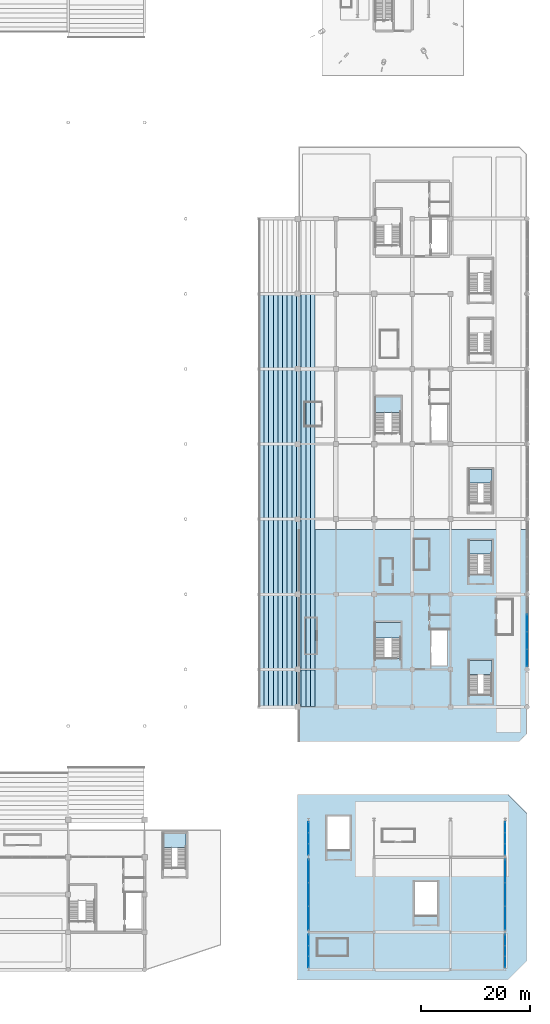
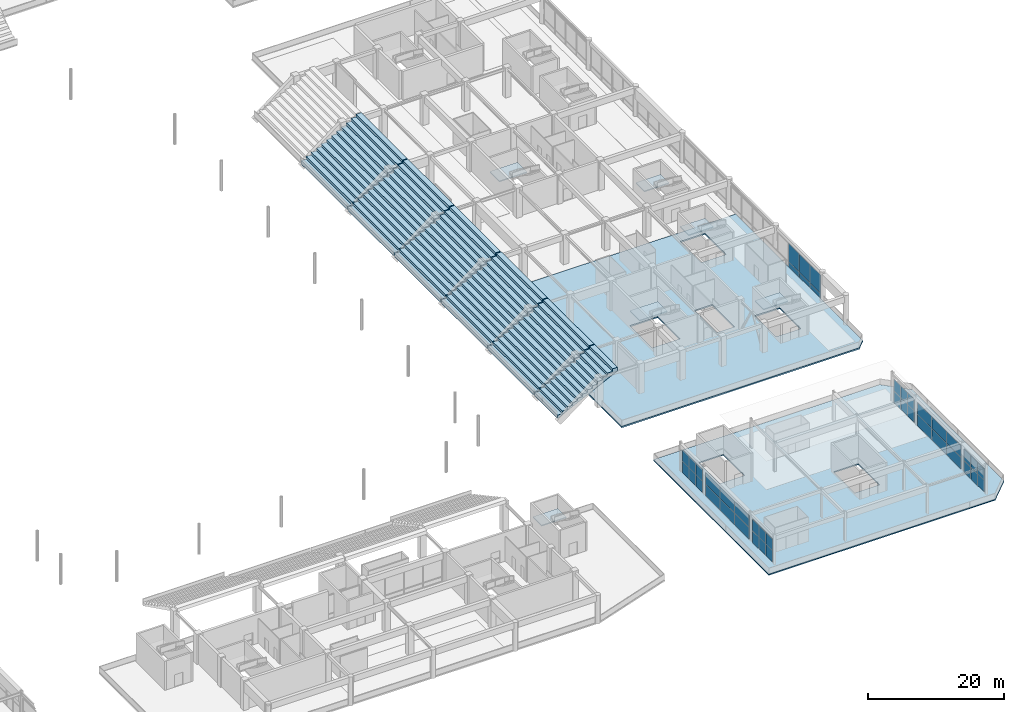
# One storey, part 74 of 117: 42 plates, 14 slabs, 13 elements without a shape of their own.
"""IFC4 building model written with IfcOpenShell, lengths in metres."""

import ifcopenshell
import ifcopenshell.guid

model = None  # the IFC model being written
_history = None  # IfcOwnerHistory: only IFC2X3 demands one
_inside = {}  # id of a spatial element -> (the spatial element, [elements in it])
_under = {}  # id of a project, library or spatial element -> (it, [spatial elements below it])
_declared = {}  # id of a project -> (the project, [libraries it declares])
_typed = {}  # id of a type object -> (the type object, [elements of that type])
_made_of = {}  # id of a material, layer set ... -> (it, [elements and type objects made of it])


def new_model(schema):
    """Start an empty IFC model of exactly this schema.

    Asked for "IFC4X3", IfcOpenShell would pick the latest addendum, in which some entities
    have other attributes; the version numbers below select the first issue.
    IFC2X3 requires an IfcOwnerHistory on every rooted entity: one is made here for all.
    """
    global model, _history
    if schema == "IFC4X3":
        model = ifcopenshell.file(schema_version=(4, 3, 0, 0))
    else:
        model = ifcopenshell.file(schema=schema)
    _inside.clear()
    _under.clear()
    _declared.clear()
    _typed.clear()
    _made_of.clear()
    _history = None
    if model.schema == "IFC2X3":
        org = make("IfcOrganization", Name="unknown")
        user = make(
            "IfcPersonAndOrganization",
            ThePerson=make("IfcPerson", FamilyName="unknown"),
            TheOrganization=org,
        )
        app = make(
            "IfcApplication",
            ApplicationDeveloper=org,
            Version="unknown",
            ApplicationFullName="unknown",
            ApplicationIdentifier="unknown",
        )
        _history = make(
            "IfcOwnerHistory",
            OwningUser=user,
            OwningApplication=app,
            ChangeAction="ADDED",
            CreationDate=0,
        )
    return model


def make(cls, **values):
    """One entity of the class cls with the attributes given. An attribute that is None is left unset."""
    return model.create_entity(
        cls, **{name: value for name, value in values.items() if value is not None}
    )


def rooted(cls, **values):
    """An entity with a GlobalId (a new one), such as an element, a storey or a relation."""
    return make(cls, GlobalId=ifcopenshell.guid.new(), OwnerHistory=_history, **values)


def si_unit(unit_type, name, prefix=None):
    """IfcSIUnit, for example si_unit("LENGTHUNIT", "METRE", prefix="MILLI")."""
    return make("IfcSIUnit", UnitType=unit_type, Prefix=prefix, Name=name)


def assignment(units):
    """IfcUnitAssignment: the units of a project."""
    return None if units is None else make("IfcUnitAssignment", Units=units)


def point(xyz):
    """IfcCartesianPoint."""
    return None if xyz is None else make("IfcCartesianPoint", Coordinates=xyz)


def direction(xyz):
    """IfcDirection."""
    return None if xyz is None else make("IfcDirection", DirectionRatios=xyz)


def frame(location, z_axis=None, x_axis=None):
    """IfcAxis2Placement3D, a coordinate frame: its origin and axes. An axis left out is left unset."""
    return make(
        "IfcAxis2Placement3D",
        Location=point(location),
        Axis=direction(z_axis),
        RefDirection=direction(x_axis),
    )


def frame_2d(location, x_axis=None):
    """IfcAxis2Placement2D, a coordinate frame in the plane: its origin and x axis."""
    return make(
        "IfcAxis2Placement2D", Location=point(location), RefDirection=direction(x_axis)
    )


def origin():
    """The frame at (0, 0, 0) with its axes left unset."""
    return frame((0.0, 0.0, 0.0))


def origin_2d():
    """The frame at (0, 0) in the plane with its x axis left unset."""
    return frame_2d((0.0, 0.0))


def place(relative_to, where):
    """IfcLocalPlacement: puts the frame where relative to a parent placement (None: the world)."""
    return make(
        "IfcLocalPlacement", PlacementRelTo=relative_to, RelativePlacement=where
    )


def context(
    kind, dimensions, precision=None, world=None, true_north=None, identifier=None
):
    """IfcGeometricRepresentationContext, for example the 3D "Model" context."""
    return make(
        "IfcGeometricRepresentationContext",
        ContextIdentifier=identifier,
        ContextType=kind,
        CoordinateSpaceDimension=dimensions,
        Precision=precision,
        WorldCoordinateSystem=world,
        TrueNorth=true_north,
    )


def subcontext(parent, identifier, kind, view, scale=None):
    """IfcGeometricRepresentationSubContext, for example "Body" below "Model"."""
    return make(
        "IfcGeometricRepresentationSubContext",
        ContextIdentifier=identifier,
        ContextType=kind,
        ParentContext=parent,
        TargetScale=scale,
        TargetView=view,
    )


def project(units=None, contexts=None):
    """IfcProject with its units and contexts."""
    return rooted(
        "IfcProject",
        Name="project",
        RepresentationContexts=contexts,
        UnitsInContext=assignment(units),
    )


def spatial(cls, under=None, at=None, **own):
    """A site, building, storey or space (cls), placed at a placement, below another one or the project."""
    s = rooted(cls, ObjectPlacement=at, **own)
    if under is not None:
        _under.setdefault(under.id(), (under, []))[1].append(s)
    return s


def polyline(points):
    """IfcPolyline through the points."""
    return make("IfcPolyline", Points=[point(p) for p in points])


def profile(cls, at=None, kind="AREA", **sizes):
    """A parametric profile (cls). Its sizes go by their IFC names, for example OverallWidth=200.0."""
    return make(cls, ProfileType=kind, Position=at, **sizes)


def rectangle(**sizes):
    """IfcRectangleProfileDef."""
    return profile("IfcRectangleProfileDef", **sizes)


def outline(outer, holes=None, kind="AREA"):
    """IfcArbitraryClosedProfileDef: a profile drawn as a closed curve; with holes, ...WithVoids."""
    if holes is None:
        return make("IfcArbitraryClosedProfileDef", ProfileType=kind, OuterCurve=outer)
    return make(
        "IfcArbitraryProfileDefWithVoids",
        ProfileType=kind,
        OuterCurve=outer,
        InnerCurves=holes,
    )


def extrude(swept, where, along, depth):
    """IfcExtrudedAreaSolid: the profile swept, set in the frame where, extruded along a direction by depth."""
    return make(
        "IfcExtrudedAreaSolid",
        SweptArea=swept,
        Position=where,
        ExtrudedDirection=direction(along),
        Depth=depth,
    )


def shape(context_of_items, identifier, shape_type, items):
    """IfcShapeRepresentation: the items that make up one representation, for example the "Body"."""
    return make(
        "IfcShapeRepresentation",
        ContextOfItems=context_of_items,
        RepresentationIdentifier=identifier,
        RepresentationType=shape_type,
        Items=items,
    )


def material(Name=None, Category=None):
    """IfcMaterial."""
    return make("IfcMaterial", Name=Name, Category=Category)


def layer(
    of_material, thickness, ventilated=None, Name=None, Category=None, Priority=None
):
    """IfcMaterialLayer: one layer of a wall or slab, of a material (None: an air gap)."""
    return make(
        "IfcMaterialLayer",
        Material=of_material,
        LayerThickness=thickness,
        IsVentilated=ventilated,
        Name=Name,
        Category=Category,
        Priority=Priority,
    )


def layer_set(layers, Name=None):
    """IfcMaterialLayerSet."""
    return make("IfcMaterialLayerSet", MaterialLayers=layers, LayerSetName=Name)


def made_of(thing, what):
    """Note that an element or type object is made of a material, layer set ...; save() writes the relation."""
    if what is not None:
        _made_of.setdefault(what.id(), (what, []))[1].append(thing)
    return thing


def type_object(cls, material=None, **own):
    """A type object (cls), such as IfcWallType, which elements share."""
    return made_of(rooted(cls, **own), material)


def element(
    cls,
    number,
    at=None,
    inside=None,
    cuts=None,
    type_object=None,
    material=None,
    context=None,
    identifier="Body",
    shape_type=None,
    held_by="IfcProductDefinitionShape",
    body=None,
    shapes=None,
    **own,
):
    """One element of the class cls, such as IfcWall. Its Tag is "e" and its number.

    at: its placement. inside: the storey or other place that contains it. cuts: it is an
    opening in that element (IfcRelVoidsElement). A single representation is given by context,
    identifier, shape_type and body (its items); several are given by shapes. held_by: the class
    of the entity that holds the representations. save() writes the other relations.
    """
    e = rooted(cls, Tag="e%d" % number, ObjectPlacement=at, **own)
    if body is not None:
        shapes = [shape(context, identifier, shape_type, body)]
    if shapes is not None:
        e.Representation = make(held_by, Representations=shapes)
    if inside is not None:
        _inside.setdefault(inside.id(), (inside, []))[1].append(e)
    if cuts is not None:
        rooted(
            "IfcRelVoidsElement", RelatingBuildingElement=cuts, RelatedOpeningElement=e
        )
    if type_object is not None:
        _typed.setdefault(type_object.id(), (type_object, []))[1].append(e)
    return made_of(e, material)


def aggregate(whole, parts):
    """IfcRelAggregates: a whole, such as a stair, and the parts it consists of."""
    return rooted("IfcRelAggregates", RelatingObject=whole, RelatedObjects=parts)


def save(model, path):
    """Write the relations noted so far, then the file.

    IfcRelAggregates (storeys below a building ...), IfcRelContainedInSpatialStructure (elements
    in a storey), IfcRelDefinesByType, IfcRelAssociatesMaterial and IfcRelDeclares: one each for
    every whole, place, type object, material and project.
    """
    for whole, parts in _under.values():
        aggregate(whole, parts)
    for where, things in _inside.values():
        rooted(
            "IfcRelContainedInSpatialStructure",
            RelatedElements=things,
            RelatingStructure=where,
        )
    for kind, things in _typed.values():
        rooted("IfcRelDefinesByType", RelatedObjects=things, RelatingType=kind)
    for what, things in _made_of.values():
        rooted("IfcRelAssociatesMaterial", RelatedObjects=things, RelatingMaterial=what)
    for by, libraries in _declared.values():
        rooted("IfcRelDeclares", RelatingContext=by, RelatedDefinitions=libraries)
    model.write(path)


model = new_model("IFC4")

# Units and contexts
model_context = context("Model", 3, precision=1e-05, world=origin(), true_north=direction((0.0, 1.0)))
body_context = subcontext(model_context, "Body", "Model", "MODEL_VIEW")
ifc_project = project(units=[si_unit("LENGTHUNIT", "METRE"), si_unit("AREAUNIT", "SQUARE_METRE"), si_unit("VOLUMEUNIT", "CUBIC_METRE"), si_unit("PLANEANGLEUNIT", "RADIAN"), si_unit("MASSUNIT", "GRAM", prefix="KILO")], contexts=[model_context])

# Site, building, storey
site_placement = place(None, origin())
site = spatial("IfcSite", under=ifc_project, at=site_placement, CompositionType="ELEMENT")
building_placement = place(site_placement, origin())
building = spatial("IfcBuilding", under=site, at=building_placement, Name="Linyun Crest Stadium", CompositionType="ELEMENT")
storey_placement = place(building_placement, frame((0.0, 0.0, 6.0)))
storey = spatial("IfcBuildingStorey", under=building, at=storey_placement, Name="L02", CompositionType="ELEMENT", Elevation=6.0)

# Slabs
ifc_material_1 = material(Name="Concrete C40", Category="concrete")
ifc_layer_1 = layer(ifc_material_1, 0.199951171875)
ifc_layer_set_1 = layer_set([ifc_layer_1], Name="Concrete C40")
slab_type_1 = type_object("IfcSlabType", Name="FS02", PredefinedType="FLOOR", material=ifc_layer_set_1)
slab_1_placement = place(storey_placement, frame((0.0, 0.0, -0.199951171875)))
element("IfcSlab", 1, at=slab_1_placement, inside=storey, type_object=slab_type_1, Name="Slab FS02 V6 L02 74", PredefinedType="FLOOR", context=body_context, shape_type="SweptSolid", body=[
    extrude(outline(polyline([(56.0, -96.0), (94.5, -96.0), (98.0, -92.5), (98.0, -65.5), (94.5, -62.0), (56.0, -62.0), (56.0, -96.0)]), holes=[polyline([(77.39990234375, -84.25), (77.39990234375, -78.0), (81.60009765625, -78.0), (81.60009765625, -84.25), (77.39990234375, -84.25)]), polyline([(61.39990234375, -72.25), (61.39990234375, -66.0), (65.60009765625, -66.0), (65.60009765625, -72.25), (61.39990234375, -72.25)])]), origin(), (0.0, 0.0, 1.0), 0.199951171875),
])
ifc_material_2 = material(Name="Concrete C40", Category="concrete")
ifc_layer_2 = layer(ifc_material_2, 0.25)
ifc_layer_set_2 = layer_set([ifc_layer_2], Name="Concrete C40")
slab_type_2 = type_object("IfcSlabType", Name="FS04", PredefinedType="FLOOR", material=ifc_layer_set_2)
slab_2_placement = place(storey_placement, frame((0.0, 0.0, -0.25)))
element("IfcSlab", 2, at=slab_2_placement, inside=storey, type_object=slab_type_2, Name="Slab FS04 V2 L02 20", PredefinedType="FLOOR", context=body_context, shape_type="SweptSolid", body=[
    extrude(outline(polyline([(56.199951171875, -52.3349609375), (96.60009765625, -52.3349609375), (98.0, -50.93505859375), (98.0, -13.510009765625), (56.199951171875, -13.510009765625), (56.199951171875, -52.3349609375)]), holes=[polyline([(70.175048828125, -37.10498046875), (70.175048828125, -30.52490234375), (74.89990234375, -30.52490234375), (74.89990234375, -37.10498046875), (70.175048828125, -37.10498046875)]), polyline([(80.39990234375, -38.47509765625), (80.39990234375, -31.875), (83.39990234375, -31.875), (83.39990234375, -38.47509765625), (80.39990234375, -38.47509765625)]), polyline([(87.39990234375, -43.75), (87.39990234375, -37.5), (91.60009765625, -37.5), (91.60009765625, -43.75), (87.39990234375, -43.75)]), polyline([(87.39990234375, -21.75), (87.39990234375, -15.5), (91.60009765625, -15.5), (91.60009765625, -21.75), (87.39990234375, -21.75)])]), origin(), (0.0, 0.0, 1.0), 0.25),
])

# Curtain wall, plates
ifc_material_3 = material(Name="Verdigris steel and low-E curtain wall assembly", Category="steel")
curtain_wall_type_1 = type_object("IfcCurtainWallType", Name="MCW01", PredefinedType="NOTDEFINED", material=ifc_material_3)
curtain_wall_1_placement = place(storey_placement, origin())
curtain_wall_1 = element("IfcCurtainWall", 3, at=curtain_wall_1_placement, inside=storey, type_object=curtain_wall_type_1, Name="CWR-078", PredefinedType="NOTDEFINED")
ifc_material_4 = material(Name="Double silver low-E insulated glass", Category="glass")
ifc_layer_3 = layer(ifc_material_4, 0.02587890625)
ifc_layer_set_3 = layer_set([ifc_layer_3], Name="Double silver low-E insulated glass")
plate_type_1 = type_object("IfcPlateType", Name="GP01", PredefinedType="CURTAIN_PANEL", material=ifc_layer_set_3)
plate_1_placement = place(storey_placement, frame((98.0, -36.993896484375, 0.9248046875), z_axis=(0.0, 0.0, 1.0), x_axis=(0.0, 1.0, 0.0)))
plate_1 = element("IfcPlate", 4, at=plate_1_placement, type_object=plate_type_1, Name="CWR-078 panel 1.2", PredefinedType="CURTAIN_PANEL", context=body_context, shape_type="SweptSolid", body=[
    extrude(rectangle(XDim=3.112548828125, YDim=0.02587890625, at=origin_2d()), origin(), (0.0, 0.0, 1.0), 3.300048828125),
])
plate_2_placement = place(storey_placement, frame((98.0, -33.8310546875, 0.9248046875), z_axis=(0.0, 0.0, 1.0), x_axis=(0.0, 1.0, 0.0)))
plate_2 = element("IfcPlate", 5, at=plate_2_placement, type_object=plate_type_1, Name="CWR-078 panel 2.2", PredefinedType="CURTAIN_PANEL", context=body_context, shape_type="SweptSolid", body=[
    extrude(rectangle(XDim=3.112548828125, YDim=0.02587890625, at=origin_2d()), origin(), (0.0, 0.0, 1.0), 3.300048828125),
])
plate_3_placement = place(storey_placement, frame((98.0, -30.6689453125, 0.9248046875), z_axis=(0.0, 0.0, 1.0), x_axis=(0.0, 1.0, 0.0)))
plate_3 = element("IfcPlate", 6, at=plate_3_placement, type_object=plate_type_1, Name="CWR-078 panel 3.2", PredefinedType="CURTAIN_PANEL", context=body_context, shape_type="SweptSolid", body=[
    extrude(rectangle(XDim=3.112548828125, YDim=0.02587890625, at=origin_2d()), origin(), (0.0, 0.0, 1.0), 3.300048828125),
])

ifc_material_5 = material(Name="Verdigris steel and low-E curtain wall assembly", Category="steel")
curtain_wall_type_2 = type_object("IfcCurtainWallType", Name="MCW05", PredefinedType="NOTDEFINED", material=ifc_material_5)
curtain_wall_2_placement = place(storey_placement, origin())
curtain_wall_2 = element("IfcCurtainWall", 7, at=curtain_wall_2_placement, inside=storey, type_object=curtain_wall_type_2, Name="CWR-161", PredefinedType="NOTDEFINED")
ifc_material_6 = material(Name="Tempered solar-control low-E glass", Category="glass")
ifc_layer_4 = layer(ifc_material_6, 0.033935546875)
ifc_layer_set_4 = layer_set([ifc_layer_4], Name="Tempered solar-control low-E glass")
plate_type_2 = type_object("IfcPlateType", Name="GP03", PredefinedType="CURTAIN_PANEL", material=ifc_layer_set_4)
plate_4_placement = place(storey_placement, frame((58.0, -92.678955078125, 0.0244140625), z_axis=(0.0, 0.0, 1.0), x_axis=(0.0, 1.0, 0.0)))
plate_4 = element("IfcPlate", 8, at=plate_4_placement, type_object=plate_type_2, Name="CWR-161 panel 1.1", PredefinedType="CURTAIN_PANEL", context=body_context, shape_type="SweptSolid", body=[
    extrude(rectangle(XDim=1.941650390625, YDim=0.033935546875, at=origin_2d()), origin(), (0.0, 0.0, 1.0), 2.074951171875),
])
plate_5_placement = place(storey_placement, frame((58.0, -92.678955078125, 2.150390625), z_axis=(0.0, 0.0, 1.0), x_axis=(0.0, 1.0, 0.0)))
plate_5 = element("IfcPlate", 9, at=plate_5_placement, type_object=plate_type_2, Name="CWR-161 panel 1.2", PredefinedType="CURTAIN_PANEL", context=body_context, shape_type="SweptSolid", body=[
    extrude(rectangle(XDim=1.941650390625, YDim=0.033935546875, at=origin_2d()), origin(), (0.0, 0.0, 1.0), 2.074951171875),
])
plate_6_placement = place(storey_placement, frame((58.0, -90.68798828125, 0.0244140625), z_axis=(0.0, 0.0, 1.0), x_axis=(0.0, 1.0, 0.0)))
plate_6 = element("IfcPlate", 10, at=plate_6_placement, type_object=plate_type_2, Name="CWR-161 panel 2.1", PredefinedType="CURTAIN_PANEL", context=body_context, shape_type="SweptSolid", body=[
    extrude(rectangle(XDim=1.941650390625, YDim=0.033935546875, at=origin_2d()), origin(), (0.0, 0.0, 1.0), 2.074951171875),
])
plate_7_placement = place(storey_placement, frame((58.0, -90.68798828125, 2.150390625), z_axis=(0.0, 0.0, 1.0), x_axis=(0.0, 1.0, 0.0)))
plate_7 = element("IfcPlate", 11, at=plate_7_placement, type_object=plate_type_2, Name="CWR-161 panel 2.2", PredefinedType="CURTAIN_PANEL", context=body_context, shape_type="SweptSolid", body=[
    extrude(rectangle(XDim=1.941650390625, YDim=0.033935546875, at=origin_2d()), origin(), (0.0, 0.0, 1.0), 2.074951171875),
])
plate_8_placement = place(storey_placement, frame((58.0, -88.696044921875, 0.0244140625), z_axis=(0.0, 0.0, 1.0), x_axis=(0.0, 1.0, 0.0)))
plate_8 = element("IfcPlate", 12, at=plate_8_placement, type_object=plate_type_2, Name="CWR-161 panel 3.1", PredefinedType="CURTAIN_PANEL", context=body_context, shape_type="SweptSolid", body=[
    extrude(rectangle(XDim=1.941650390625, YDim=0.033935546875, at=origin_2d()), origin(), (0.0, 0.0, 1.0), 2.074951171875),
])
plate_9_placement = place(storey_placement, frame((58.0, -88.696044921875, 2.150390625), z_axis=(0.0, 0.0, 1.0), x_axis=(0.0, 1.0, 0.0)))
plate_9 = element("IfcPlate", 13, at=plate_9_placement, type_object=plate_type_2, Name="CWR-161 panel 3.2", PredefinedType="CURTAIN_PANEL", context=body_context, shape_type="SweptSolid", body=[
    extrude(rectangle(XDim=1.941650390625, YDim=0.033935546875, at=origin_2d()), origin(), (0.0, 0.0, 1.0), 2.074951171875),
])
aggregate(curtain_wall_2, [plate_4, plate_5, plate_6, plate_7, plate_8, plate_9])

curtain_wall_3_placement = place(storey_placement, origin())
curtain_wall_3 = element("IfcCurtainWall", 14, at=curtain_wall_3_placement, inside=storey, type_object=curtain_wall_type_2, Name="CWR-162", PredefinedType="NOTDEFINED")
plate_10_placement = place(storey_placement, frame((58.0, -84.657958984375, 0.0244140625), z_axis=(0.0, 0.0, 1.0), x_axis=(0.0, 1.0, 0.0)))
plate_10 = element("IfcPlate", 15, at=plate_10_placement, type_object=plate_type_2, Name="CWR-162 panel 1.1", PredefinedType="CURTAIN_PANEL", context=body_context, shape_type="SweptSolid", body=[
    extrude(rectangle(XDim=4.2333984375, YDim=0.033935546875, at=origin_2d()), origin(), (0.0, 0.0, 1.0), 2.074951171875),
])
plate_11_placement = place(storey_placement, frame((58.0, -84.657958984375, 2.150390625), z_axis=(0.0, 0.0, 1.0), x_axis=(0.0, 1.0, 0.0)))
plate_11 = element("IfcPlate", 16, at=plate_11_placement, type_object=plate_type_2, Name="CWR-162 panel 1.2", PredefinedType="CURTAIN_PANEL", context=body_context, shape_type="SweptSolid", body=[
    extrude(rectangle(XDim=4.2333984375, YDim=0.033935546875, at=origin_2d()), origin(), (0.0, 0.0, 1.0), 2.074951171875),
])
plate_12_placement = place(storey_placement, frame((58.0, -80.375, 0.0244140625), z_axis=(0.0, 0.0, 1.0), x_axis=(0.0, 1.0, 0.0)))
plate_12 = element("IfcPlate", 17, at=plate_12_placement, type_object=plate_type_2, Name="CWR-162 panel 2.1", PredefinedType="CURTAIN_PANEL", context=body_context, shape_type="SweptSolid", body=[
    extrude(rectangle(XDim=4.2333984375, YDim=0.033935546875, at=origin_2d()), origin(), (0.0, 0.0, 1.0), 2.074951171875),
])
plate_13_placement = place(storey_placement, frame((58.0, -80.375, 2.150390625), z_axis=(0.0, 0.0, 1.0), x_axis=(0.0, 1.0, 0.0)))
plate_13 = element("IfcPlate", 18, at=plate_13_placement, type_object=plate_type_2, Name="CWR-162 panel 2.2", PredefinedType="CURTAIN_PANEL", context=body_context, shape_type="SweptSolid", body=[
    extrude(rectangle(XDim=4.2333984375, YDim=0.033935546875, at=origin_2d()), origin(), (0.0, 0.0, 1.0), 2.074951171875),
])
plate_14_placement = place(storey_placement, frame((58.0, -76.092041015625, 0.0244140625), z_axis=(0.0, 0.0, 1.0), x_axis=(0.0, 1.0, 0.0)))
plate_14 = element("IfcPlate", 19, at=plate_14_placement, type_object=plate_type_2, Name="CWR-162 panel 3.1", PredefinedType="CURTAIN_PANEL", context=body_context, shape_type="SweptSolid", body=[
    extrude(rectangle(XDim=4.2333984375, YDim=0.033935546875, at=origin_2d()), origin(), (0.0, 0.0, 1.0), 2.074951171875),
])
plate_15_placement = place(storey_placement, frame((58.0, -76.092041015625, 2.150390625), z_axis=(0.0, 0.0, 1.0), x_axis=(0.0, 1.0, 0.0)))
plate_15 = element("IfcPlate", 20, at=plate_15_placement, type_object=plate_type_2, Name="CWR-162 panel 3.2", PredefinedType="CURTAIN_PANEL", context=body_context, shape_type="SweptSolid", body=[
    extrude(rectangle(XDim=4.2333984375, YDim=0.033935546875, at=origin_2d()), origin(), (0.0, 0.0, 1.0), 2.074951171875),
])
aggregate(curtain_wall_3, [plate_10, plate_11, plate_12, plate_13, plate_14, plate_15])

curtain_wall_4_placement = place(storey_placement, origin())
curtain_wall_4 = element("IfcCurtainWall", 21, at=curtain_wall_4_placement, inside=storey, type_object=curtain_wall_type_2, Name="CWR-163", PredefinedType="NOTDEFINED")
plate_16_placement = place(storey_placement, frame((58.0, -72.053955078125, 0.0244140625), z_axis=(0.0, 0.0, 1.0), x_axis=(0.0, 1.0, 0.0)))
plate_16 = element("IfcPlate", 22, at=plate_16_placement, type_object=plate_type_2, Name="CWR-163 panel 1.1", PredefinedType="CURTAIN_PANEL", context=body_context, shape_type="SweptSolid", body=[
    extrude(rectangle(XDim=1.941650390625, YDim=0.033935546875, at=origin_2d()), origin(), (0.0, 0.0, 1.0), 2.074951171875),
])
plate_17_placement = place(storey_placement, frame((58.0, -72.053955078125, 2.150390625), z_axis=(0.0, 0.0, 1.0), x_axis=(0.0, 1.0, 0.0)))
plate_17 = element("IfcPlate", 23, at=plate_17_placement, type_object=plate_type_2, Name="CWR-163 panel 1.2", PredefinedType="CURTAIN_PANEL", context=body_context, shape_type="SweptSolid", body=[
    extrude(rectangle(XDim=1.941650390625, YDim=0.033935546875, at=origin_2d()), origin(), (0.0, 0.0, 1.0), 2.074951171875),
])
plate_18_placement = place(storey_placement, frame((58.0, -70.06201171875, 0.0244140625), z_axis=(0.0, 0.0, 1.0), x_axis=(0.0, 1.0, 0.0)))
plate_18 = element("IfcPlate", 24, at=plate_18_placement, type_object=plate_type_2, Name="CWR-163 panel 2.1", PredefinedType="CURTAIN_PANEL", context=body_context, shape_type="SweptSolid", body=[
    extrude(rectangle(XDim=1.941650390625, YDim=0.033935546875, at=origin_2d()), origin(), (0.0, 0.0, 1.0), 2.074951171875),
])
plate_19_placement = place(storey_placement, frame((58.0, -70.06201171875, 2.150390625), z_axis=(0.0, 0.0, 1.0), x_axis=(0.0, 1.0, 0.0)))
plate_19 = element("IfcPlate", 25, at=plate_19_placement, type_object=plate_type_2, Name="CWR-163 panel 2.2", PredefinedType="CURTAIN_PANEL", context=body_context, shape_type="SweptSolid", body=[
    extrude(rectangle(XDim=1.941650390625, YDim=0.033935546875, at=origin_2d()), origin(), (0.0, 0.0, 1.0), 2.074951171875),
])
plate_20_placement = place(storey_placement, frame((58.0, -68.071044921875, 0.0244140625), z_axis=(0.0, 0.0, 1.0), x_axis=(0.0, 1.0, 0.0)))
plate_20 = element("IfcPlate", 26, at=plate_20_placement, type_object=plate_type_2, Name="CWR-163 panel 3.1", PredefinedType="CURTAIN_PANEL", context=body_context, shape_type="SweptSolid", body=[
    extrude(rectangle(XDim=1.941650390625, YDim=0.033935546875, at=origin_2d()), origin(), (0.0, 0.0, 1.0), 2.074951171875),
])
plate_21_placement = place(storey_placement, frame((58.0, -68.071044921875, 2.150390625), z_axis=(0.0, 0.0, 1.0), x_axis=(0.0, 1.0, 0.0)))
plate_21 = element("IfcPlate", 27, at=plate_21_placement, type_object=plate_type_2, Name="CWR-163 panel 3.2", PredefinedType="CURTAIN_PANEL", context=body_context, shape_type="SweptSolid", body=[
    extrude(rectangle(XDim=1.941650390625, YDim=0.033935546875, at=origin_2d()), origin(), (0.0, 0.0, 1.0), 2.074951171875),
])
aggregate(curtain_wall_4, [plate_16, plate_17, plate_18, plate_19, plate_20, plate_21])

curtain_wall_5_placement = place(storey_placement, origin())
curtain_wall_5 = element("IfcCurtainWall", 28, at=curtain_wall_5_placement, inside=storey, type_object=curtain_wall_type_2, Name="CWR-164", PredefinedType="NOTDEFINED")
plate_22_placement = place(storey_placement, frame((94.0, -92.678955078125, 0.0244140625), z_axis=(0.0, 0.0, 1.0), x_axis=(0.0, 1.0, 0.0)))
plate_22 = element("IfcPlate", 29, at=plate_22_placement, type_object=plate_type_2, Name="CWR-164 panel 1.1", PredefinedType="CURTAIN_PANEL", context=body_context, shape_type="SweptSolid", body=[
    extrude(rectangle(XDim=1.941650390625, YDim=0.033935546875, at=origin_2d()), origin(), (0.0, 0.0, 1.0), 2.074951171875),
])
plate_23_placement = place(storey_placement, frame((94.0, -92.678955078125, 2.150390625), z_axis=(0.0, 0.0, 1.0), x_axis=(0.0, 1.0, 0.0)))
plate_23 = element("IfcPlate", 30, at=plate_23_placement, type_object=plate_type_2, Name="CWR-164 panel 1.2", PredefinedType="CURTAIN_PANEL", context=body_context, shape_type="SweptSolid", body=[
    extrude(rectangle(XDim=1.941650390625, YDim=0.033935546875, at=origin_2d()), origin(), (0.0, 0.0, 1.0), 2.074951171875),
])
plate_24_placement = place(storey_placement, frame((94.0, -90.68798828125, 0.0244140625), z_axis=(0.0, 0.0, 1.0), x_axis=(0.0, 1.0, 0.0)))
plate_24 = element("IfcPlate", 31, at=plate_24_placement, type_object=plate_type_2, Name="CWR-164 panel 2.1", PredefinedType="CURTAIN_PANEL", context=body_context, shape_type="SweptSolid", body=[
    extrude(rectangle(XDim=1.941650390625, YDim=0.033935546875, at=origin_2d()), origin(), (0.0, 0.0, 1.0), 2.074951171875),
])
plate_25_placement = place(storey_placement, frame((94.0, -90.68798828125, 2.150390625), z_axis=(0.0, 0.0, 1.0), x_axis=(0.0, 1.0, 0.0)))
plate_25 = element("IfcPlate", 32, at=plate_25_placement, type_object=plate_type_2, Name="CWR-164 panel 2.2", PredefinedType="CURTAIN_PANEL", context=body_context, shape_type="SweptSolid", body=[
    extrude(rectangle(XDim=1.941650390625, YDim=0.033935546875, at=origin_2d()), origin(), (0.0, 0.0, 1.0), 2.074951171875),
])
plate_26_placement = place(storey_placement, frame((94.0, -88.696044921875, 0.0244140625), z_axis=(0.0, 0.0, 1.0), x_axis=(0.0, 1.0, 0.0)))
plate_26 = element("IfcPlate", 33, at=plate_26_placement, type_object=plate_type_2, Name="CWR-164 panel 3.1", PredefinedType="CURTAIN_PANEL", context=body_context, shape_type="SweptSolid", body=[
    extrude(rectangle(XDim=1.941650390625, YDim=0.033935546875, at=origin_2d()), origin(), (0.0, 0.0, 1.0), 2.074951171875),
])
plate_27_placement = place(storey_placement, frame((94.0, -88.696044921875, 2.150390625), z_axis=(0.0, 0.0, 1.0), x_axis=(0.0, 1.0, 0.0)))
plate_27 = element("IfcPlate", 34, at=plate_27_placement, type_object=plate_type_2, Name="CWR-164 panel 3.2", PredefinedType="CURTAIN_PANEL", context=body_context, shape_type="SweptSolid", body=[
    extrude(rectangle(XDim=1.941650390625, YDim=0.033935546875, at=origin_2d()), origin(), (0.0, 0.0, 1.0), 2.074951171875),
])
aggregate(curtain_wall_5, [plate_22, plate_23, plate_24, plate_25, plate_26, plate_27])

curtain_wall_6_placement = place(storey_placement, origin())
curtain_wall_6 = element("IfcCurtainWall", 35, at=curtain_wall_6_placement, inside=storey, type_object=curtain_wall_type_2, Name="CWR-165", PredefinedType="NOTDEFINED")
plate_28_placement = place(storey_placement, frame((94.0, -84.657958984375, 0.0244140625), z_axis=(0.0, 0.0, 1.0), x_axis=(0.0, 1.0, 0.0)))
plate_28 = element("IfcPlate", 36, at=plate_28_placement, type_object=plate_type_2, Name="CWR-165 panel 1.1", PredefinedType="CURTAIN_PANEL", context=body_context, shape_type="SweptSolid", body=[
    extrude(rectangle(XDim=4.2333984375, YDim=0.033935546875, at=origin_2d()), origin(), (0.0, 0.0, 1.0), 2.074951171875),
])
plate_29_placement = place(storey_placement, frame((94.0, -84.657958984375, 2.150390625), z_axis=(0.0, 0.0, 1.0), x_axis=(0.0, 1.0, 0.0)))
plate_29 = element("IfcPlate", 37, at=plate_29_placement, type_object=plate_type_2, Name="CWR-165 panel 1.2", PredefinedType="CURTAIN_PANEL", context=body_context, shape_type="SweptSolid", body=[
    extrude(rectangle(XDim=4.2333984375, YDim=0.033935546875, at=origin_2d()), origin(), (0.0, 0.0, 1.0), 2.074951171875),
])
plate_30_placement = place(storey_placement, frame((94.0, -80.375, 0.0244140625), z_axis=(0.0, 0.0, 1.0), x_axis=(0.0, 1.0, 0.0)))
plate_30 = element("IfcPlate", 38, at=plate_30_placement, type_object=plate_type_2, Name="CWR-165 panel 2.1", PredefinedType="CURTAIN_PANEL", context=body_context, shape_type="SweptSolid", body=[
    extrude(rectangle(XDim=4.2333984375, YDim=0.033935546875, at=origin_2d()), origin(), (0.0, 0.0, 1.0), 2.074951171875),
])
plate_31_placement = place(storey_placement, frame((94.0, -80.375, 2.150390625), z_axis=(0.0, 0.0, 1.0), x_axis=(0.0, 1.0, 0.0)))
plate_31 = element("IfcPlate", 39, at=plate_31_placement, type_object=plate_type_2, Name="CWR-165 panel 2.2", PredefinedType="CURTAIN_PANEL", context=body_context, shape_type="SweptSolid", body=[
    extrude(rectangle(XDim=4.2333984375, YDim=0.033935546875, at=origin_2d()), origin(), (0.0, 0.0, 1.0), 2.074951171875),
])
plate_32_placement = place(storey_placement, frame((94.0, -76.092041015625, 0.0244140625), z_axis=(0.0, 0.0, 1.0), x_axis=(0.0, 1.0, 0.0)))
plate_32 = element("IfcPlate", 40, at=plate_32_placement, type_object=plate_type_2, Name="CWR-165 panel 3.1", PredefinedType="CURTAIN_PANEL", context=body_context, shape_type="SweptSolid", body=[
    extrude(rectangle(XDim=4.2333984375, YDim=0.033935546875, at=origin_2d()), origin(), (0.0, 0.0, 1.0), 2.074951171875),
])
plate_33_placement = place(storey_placement, frame((94.0, -76.092041015625, 2.150390625), z_axis=(0.0, 0.0, 1.0), x_axis=(0.0, 1.0, 0.0)))
plate_33 = element("IfcPlate", 41, at=plate_33_placement, type_object=plate_type_2, Name="CWR-165 panel 3.2", PredefinedType="CURTAIN_PANEL", context=body_context, shape_type="SweptSolid", body=[
    extrude(rectangle(XDim=4.2333984375, YDim=0.033935546875, at=origin_2d()), origin(), (0.0, 0.0, 1.0), 2.074951171875),
])
aggregate(curtain_wall_6, [plate_28, plate_29, plate_30, plate_31, plate_32, plate_33])

curtain_wall_7_placement = place(storey_placement, origin())
curtain_wall_7 = element("IfcCurtainWall", 42, at=curtain_wall_7_placement, inside=storey, type_object=curtain_wall_type_2, Name="CWR-166", PredefinedType="NOTDEFINED")
plate_34_placement = place(storey_placement, frame((94.0, -72.053955078125, 0.0244140625), z_axis=(0.0, 0.0, 1.0), x_axis=(0.0, 1.0, 0.0)))
plate_34 = element("IfcPlate", 43, at=plate_34_placement, type_object=plate_type_2, Name="CWR-166 panel 1.1", PredefinedType="CURTAIN_PANEL", context=body_context, shape_type="SweptSolid", body=[
    extrude(rectangle(XDim=1.941650390625, YDim=0.033935546875, at=origin_2d()), origin(), (0.0, 0.0, 1.0), 2.074951171875),
])
plate_35_placement = place(storey_placement, frame((94.0, -72.053955078125, 2.150390625), z_axis=(0.0, 0.0, 1.0), x_axis=(0.0, 1.0, 0.0)))
plate_35 = element("IfcPlate", 44, at=plate_35_placement, type_object=plate_type_2, Name="CWR-166 panel 1.2", PredefinedType="CURTAIN_PANEL", context=body_context, shape_type="SweptSolid", body=[
    extrude(rectangle(XDim=1.941650390625, YDim=0.033935546875, at=origin_2d()), origin(), (0.0, 0.0, 1.0), 2.074951171875),
])
plate_36_placement = place(storey_placement, frame((94.0, -70.06201171875, 0.0244140625), z_axis=(0.0, 0.0, 1.0), x_axis=(0.0, 1.0, 0.0)))
plate_36 = element("IfcPlate", 45, at=plate_36_placement, type_object=plate_type_2, Name="CWR-166 panel 2.1", PredefinedType="CURTAIN_PANEL", context=body_context, shape_type="SweptSolid", body=[
    extrude(rectangle(XDim=1.941650390625, YDim=0.033935546875, at=origin_2d()), origin(), (0.0, 0.0, 1.0), 2.074951171875),
])
plate_37_placement = place(storey_placement, frame((94.0, -70.06201171875, 2.150390625), z_axis=(0.0, 0.0, 1.0), x_axis=(0.0, 1.0, 0.0)))
plate_37 = element("IfcPlate", 46, at=plate_37_placement, type_object=plate_type_2, Name="CWR-166 panel 2.2", PredefinedType="CURTAIN_PANEL", context=body_context, shape_type="SweptSolid", body=[
    extrude(rectangle(XDim=1.941650390625, YDim=0.033935546875, at=origin_2d()), origin(), (0.0, 0.0, 1.0), 2.074951171875),
])
plate_38_placement = place(storey_placement, frame((94.0, -68.071044921875, 0.0244140625), z_axis=(0.0, 0.0, 1.0), x_axis=(0.0, 1.0, 0.0)))
plate_38 = element("IfcPlate", 47, at=plate_38_placement, type_object=plate_type_2, Name="CWR-166 panel 3.1", PredefinedType="CURTAIN_PANEL", context=body_context, shape_type="SweptSolid", body=[
    extrude(rectangle(XDim=1.941650390625, YDim=0.033935546875, at=origin_2d()), origin(), (0.0, 0.0, 1.0), 2.074951171875),
])
plate_39_placement = place(storey_placement, frame((94.0, -68.071044921875, 2.150390625), z_axis=(0.0, 0.0, 1.0), x_axis=(0.0, 1.0, 0.0)))
plate_39 = element("IfcPlate", 48, at=plate_39_placement, type_object=plate_type_2, Name="CWR-166 panel 3.2", PredefinedType="CURTAIN_PANEL", context=body_context, shape_type="SweptSolid", body=[
    extrude(rectangle(XDim=1.941650390625, YDim=0.033935546875, at=origin_2d()), origin(), (0.0, 0.0, 1.0), 2.074951171875),
])
aggregate(curtain_wall_7, [plate_34, plate_35, plate_36, plate_37, plate_38, plate_39])

# Stair, slab
ifc_material_7 = material(Name="Concrete C40", Category="concrete")
stair_type = type_object("IfcStairType", Name="STA02", PredefinedType="HALF_TURN_STAIR", material=ifc_material_7)
stair_1_placement = place(storey_placement, origin())
stair_1 = element("IfcStair", 49, at=stair_1_placement, inside=storey, type_object=stair_type, Name="Evacuation stair STR-04-L02", PredefinedType="HALF_TURN_STAIR")
ifc_material_8 = material(Name="Concrete C40", Category="concrete")
ifc_layer_5 = layer(ifc_material_8, 0.179931640625)
ifc_layer_set_5 = layer_set([ifc_layer_5], Name="Concrete C40")
slab_type_3 = type_object("IfcSlabType", Name="LS01", PredefinedType="LANDING", material=ifc_layer_set_5)
slab_3_placement = place(storey_placement, frame((0.0, 0.0, 2.52001953125)))
slab_3 = element("IfcSlab", 50, at=slab_3_placement, type_object=slab_type_3, Name="STR-04-L02 half-landing", PredefinedType="LANDING", context=body_context, shape_type="SweptSolid", body=[
    extrude(outline(polyline([(70.175048828125, -33.385009765625), (74.89990234375, -33.385009765625), (74.89990234375, -30.52490234375), (70.175048828125, -30.52490234375), (70.175048828125, -33.385009765625)])), origin(), (0.0, 0.0, 1.0), 0.179931640625),
])
aggregate(stair_1, [slab_3])

stair_2_placement = place(storey_placement, origin())
stair_2 = element("IfcStair", 51, at=stair_2_placement, inside=storey, type_object=stair_type, Name="Evacuation stair STR-05-L02", PredefinedType="HALF_TURN_STAIR")
slab_4_placement = place(storey_placement, frame((0.0, 0.0, 2.52001953125)))
slab_4 = element("IfcSlab", 52, at=slab_4_placement, type_object=slab_type_3, Name="STR-05-L02 half-landing", PredefinedType="LANDING", context=body_context, shape_type="SweptSolid", body=[
    extrude(outline(polyline([(70.199951171875, 7.864990234375), (74.89990234375, 7.864990234375), (74.89990234375, 10.72509765625), (70.199951171875, 10.72509765625), (70.199951171875, 7.864990234375)])), origin(), (0.0, 0.0, 1.0), 0.179931640625),
])
aggregate(stair_2, [slab_4])

stair_3_placement = place(storey_placement, origin())
stair_3 = element("IfcStair", 53, at=stair_3_placement, inside=storey, type_object=stair_type, Name="Vomitory evacuation stair STR-18-L02", PredefinedType="HALF_TURN_STAIR")
slab_5_placement = place(storey_placement, frame((0.0, 0.0, 2.52001953125)))
slab_5 = element("IfcSlab", 54, at=slab_5_placement, type_object=slab_type_3, Name="STR-18-L02 half-landing", PredefinedType="LANDING", context=body_context, shape_type="SweptSolid", body=[
    extrude(outline(polyline([(87.39990234375, -40.030029296875), (91.60009765625, -40.030029296875), (91.60009765625, -37.5), (87.39990234375, -37.5), (87.39990234375, -40.030029296875)])), origin(), (0.0, 0.0, 1.0), 0.179931640625),
])
aggregate(stair_3, [slab_5])

stair_4_placement = place(storey_placement, origin())
stair_4 = element("IfcStair", 55, at=stair_4_placement, inside=storey, type_object=stair_type, Name="Vomitory evacuation stair STR-19-L02", PredefinedType="HALF_TURN_STAIR")
slab_6_placement = place(storey_placement, frame((0.0, 0.0, 2.52001953125)))
slab_6 = element("IfcSlab", 56, at=slab_6_placement, type_object=slab_type_3, Name="STR-19-L02 half-landing", PredefinedType="LANDING", context=body_context, shape_type="SweptSolid", body=[
    extrude(outline(polyline([(87.39990234375, -18.030029296875), (91.60009765625, -18.030029296875), (91.60009765625, -15.5), (87.39990234375, -15.5), (87.39990234375, -18.030029296875)])), origin(), (0.0, 0.0, 1.0), 0.179931640625),
])
aggregate(stair_4, [slab_6])

stair_5_placement = place(storey_placement, origin())
stair_5 = element("IfcStair", 57, at=stair_5_placement, inside=storey, type_object=stair_type, Name="Vomitory evacuation stair STR-20-L02", PredefinedType="HALF_TURN_STAIR")
slab_7_placement = place(storey_placement, frame((0.0, 0.0, 2.52001953125)))
slab_7 = element("IfcSlab", 58, at=slab_7_placement, type_object=slab_type_3, Name="STR-20-L02 half-landing", PredefinedType="LANDING", context=body_context, shape_type="SweptSolid", body=[
    extrude(outline(polyline([(87.39990234375, -5.030029296875), (91.60009765625, -5.030029296875), (91.60009765625, -2.5), (87.39990234375, -2.5), (87.39990234375, -5.030029296875)])), origin(), (0.0, 0.0, 1.0), 0.179931640625),
])
aggregate(stair_5, [slab_7])

stair_6_placement = place(storey_placement, origin())
stair_6 = element("IfcStair", 59, at=stair_6_placement, inside=storey, type_object=stair_type, Name="Vomitory evacuation stair STR-29-L02", PredefinedType="HALF_TURN_STAIR")
slab_8_placement = place(storey_placement, frame((0.0, 0.0, 2.52001953125)))
slab_8 = element("IfcSlab", 60, at=slab_8_placement, type_object=slab_type_3, Name="STR-29-L02 half-landing", PredefinedType="LANDING", context=body_context, shape_type="SweptSolid", body=[
    extrude(outline(polyline([(31.39990234375, -71.72998046875), (35.60009765625, -71.72998046875), (35.60009765625, -69.199951171875), (31.39990234375, -69.199951171875), (31.39990234375, -71.72998046875)])), origin(), (0.0, 0.0, 1.0), 0.179931640625),
])
aggregate(stair_6, [slab_8])

# Plate
ifc_material_9 = material(Name="Celadon glazed ceramic faience insulated spandrel")
ifc_layer_6 = layer(ifc_material_9, 0.0419921875)
ifc_layer_set_6 = layer_set([ifc_layer_6], Name="Celadon glazed ceramic faience insulated spandrel")
plate_type_3 = type_object("IfcPlateType", Name="SP01", PredefinedType="SHEET", material=ifc_layer_set_6)
plate_40_placement = place(storey_placement, frame((98.0, -36.993896484375, 0.02490234375), z_axis=(0.0, 0.0, 1.0), x_axis=(0.0, 1.0, 0.0)))
plate_40 = element("IfcPlate", 61, at=plate_40_placement, type_object=plate_type_3, Name="CWR-078 panel 1.1", PredefinedType="SHEET", context=body_context, shape_type="SweptSolid", body=[
    extrude(rectangle(XDim=3.112548828125, YDim=0.0419921875, at=origin_2d()), origin(), (0.0, 0.0, 1.0), 0.85009765625),
])

plate_41_placement = place(storey_placement, frame((98.0, -33.8310546875, 0.02490234375), z_axis=(0.0, 0.0, 1.0), x_axis=(0.0, 1.0, 0.0)))
plate_41 = element("IfcPlate", 62, at=plate_41_placement, type_object=plate_type_3, Name="CWR-078 panel 2.1", PredefinedType="SHEET", context=body_context, shape_type="SweptSolid", body=[
    extrude(rectangle(XDim=3.112548828125, YDim=0.0419921875, at=origin_2d()), origin(), (0.0, 0.0, 1.0), 0.85009765625),
])

plate_42_placement = place(storey_placement, frame((98.0, -30.6689453125, 0.02490234375), z_axis=(0.0, 0.0, 1.0), x_axis=(0.0, 1.0, 0.0)))
plate_42 = element("IfcPlate", 63, at=plate_42_placement, type_object=plate_type_3, Name="CWR-078 panel 3.1", PredefinedType="SHEET", context=body_context, shape_type="SweptSolid", body=[
    extrude(rectangle(XDim=3.112548828125, YDim=0.0419921875, at=origin_2d()), origin(), (0.0, 0.0, 1.0), 0.85009765625),
])

aggregate(curtain_wall_1, [plate_40, plate_1, plate_41, plate_2, plate_42, plate_3])

# Slabs
ifc_material_10 = material(Name="Precast concrete C50", Category="concrete")
ifc_layer_7 = layer(ifc_material_10, 0.179931640625)
ifc_layer_set_7 = layer_set([ifc_layer_7], Name="Precast concrete C50")
slab_type_4 = type_object("IfcSlabType", Name="ST02", PredefinedType="USERDEFINED", material=ifc_layer_set_7)
slab_9_placement = place(storey_placement, frame((49.0, -45.919921875, 0.199951171875), z_axis=(0.0, 0.0, 1.0), x_axis=(1.0, 0.0, 0.0)))
element("IfcSlab", 64, at=slab_9_placement, inside=storey, type_object=slab_type_4, Name="Precast seating tier ST02 V2 6", ObjectType="SEATING TIER", PredefinedType="USERDEFINED", context=body_context, shape_type="SweptSolid", body=[
    extrude(outline(polyline([(0.0, 0.0), (0.0, -0.4599609375), (0.85009765625, -0.4599609375), (0.85009765625, -0.919921875), (1.699951171875, -0.919921875), (1.699951171875, -1.3798828125), (2.550048828125, -1.3798828125), (2.550048828125, -1.840087890625), (3.39990234375, -1.840087890625), (3.39990234375, -2.300048828125), (4.25, -2.300048828125), (4.25, -2.760009765625), (5.10009765625, -2.760009765625), (5.10009765625, -3.219970703125), (5.949951171875, -3.219970703125), (5.949951171875, -3.679931640625), (6.800048828125, -3.679931640625), (6.800048828125, -4.139892578125), (7.64990234375, -4.139892578125), (7.64990234375, -4.60009765625), (8.5, -4.60009765625), (8.5, -5.06005859375), (9.35009765625, -5.06005859375), (9.35009765625, -5.52001953125), (10.199951171875, -5.52001953125), (10.199951171875, -4.8798828125), (0.0, 0.179931640625), (0.0, 0.0)])), frame((0.0, 0.0, 0.0), z_axis=(0.0, 1.0, 0.0), x_axis=(1.0, 0.0, 0.0)), (0.0, 0.0, 1.0), 6.71484375),
])
for number, where, z_axis, x_axis, name in (
    (65, (49.0, -39.044921875, 0.199951171875), (0.0, 0.0, 1.0), (1.0, 0.0, 0.0), "Precast seating tier ST02 V2 14"),
    (66, (49.0, -25.294921875, 0.199951171875), (0.0, 0.0, 1.0), (1.0, 0.0, 0.0), "Precast seating tier ST02 V2 22"),
    (67, (49.0, -11.544921875, 0.199951171875), (0.0, 0.0, 1.0), (1.0, 0.0, 0.0), "Precast seating tier ST02 V2 30"),
    (68, (49.0, 2.205078125, 0.199951171875), (0.0, 0.0, 1.0), (1.0, 0.0, 0.0), "Precast seating tier ST02 V2 38"),
    (69, (49.0, 15.955078125, 0.199951171875), (0.0, 0.0, 1.0), (1.0, 0.0, 0.0), "Precast seating tier ST02 V2 46"),
):
    element("IfcSlab", number, at=place(storey_placement, frame(where, z_axis=z_axis, x_axis=x_axis)), inside=storey, type_object=slab_type_4, Name=name, ObjectType="SEATING TIER", PredefinedType="USERDEFINED", context=body_context, shape_type="SweptSolid", body=[
        extrude(outline(polyline([(0.0, 0.0), (0.0, -0.4599609375), (0.85009765625, -0.4599609375), (0.85009765625, -0.919921875), (1.699951171875, -0.919921875), (1.699951171875, -1.3798828125), (2.550048828125, -1.3798828125), (2.550048828125, -1.840087890625), (3.39990234375, -1.840087890625), (3.39990234375, -2.300048828125), (4.25, -2.300048828125), (4.25, -2.760009765625), (5.10009765625, -2.760009765625), (5.10009765625, -3.219970703125), (5.949951171875, -3.219970703125), (5.949951171875, -3.679931640625), (6.800048828125, -3.679931640625), (6.800048828125, -4.139892578125), (7.64990234375, -4.139892578125), (7.64990234375, -4.60009765625), (8.5, -4.60009765625), (8.5, -5.06005859375), (9.35009765625, -5.06005859375), (9.35009765625, -5.52001953125), (10.199951171875, -5.52001953125), (10.199951171875, -4.8798828125), (0.0, 0.179931640625), (0.0, 0.0)])), frame((0.0, 0.0, 0.0), z_axis=(0.0, 1.0, 0.0), x_axis=(1.0, 0.0, 0.0)), (0.0, 0.0, 1.0), 13.58984375),
    ])

save(model, "model.ifc")
